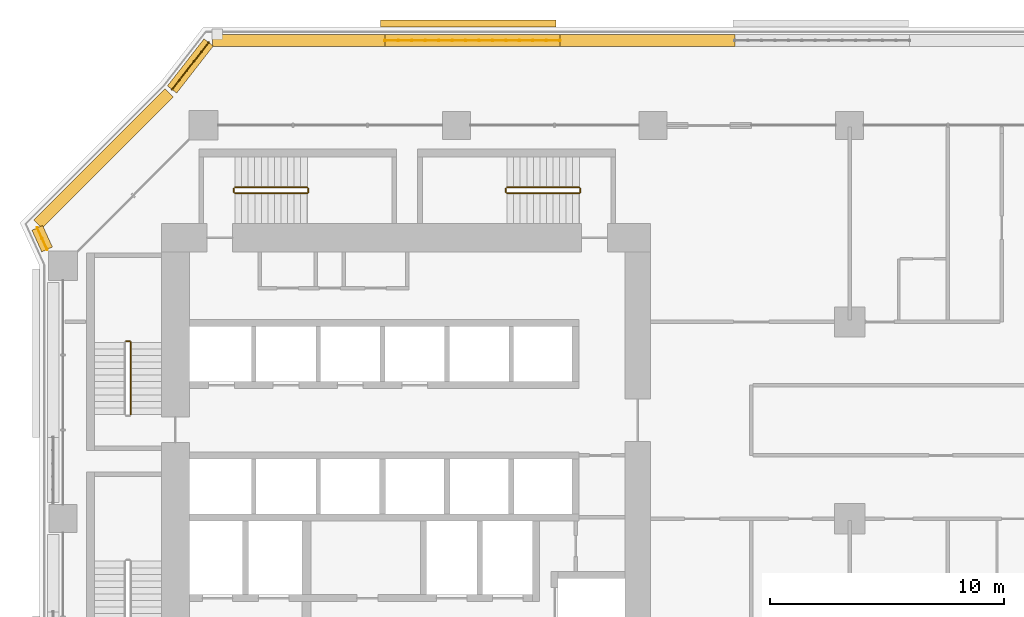
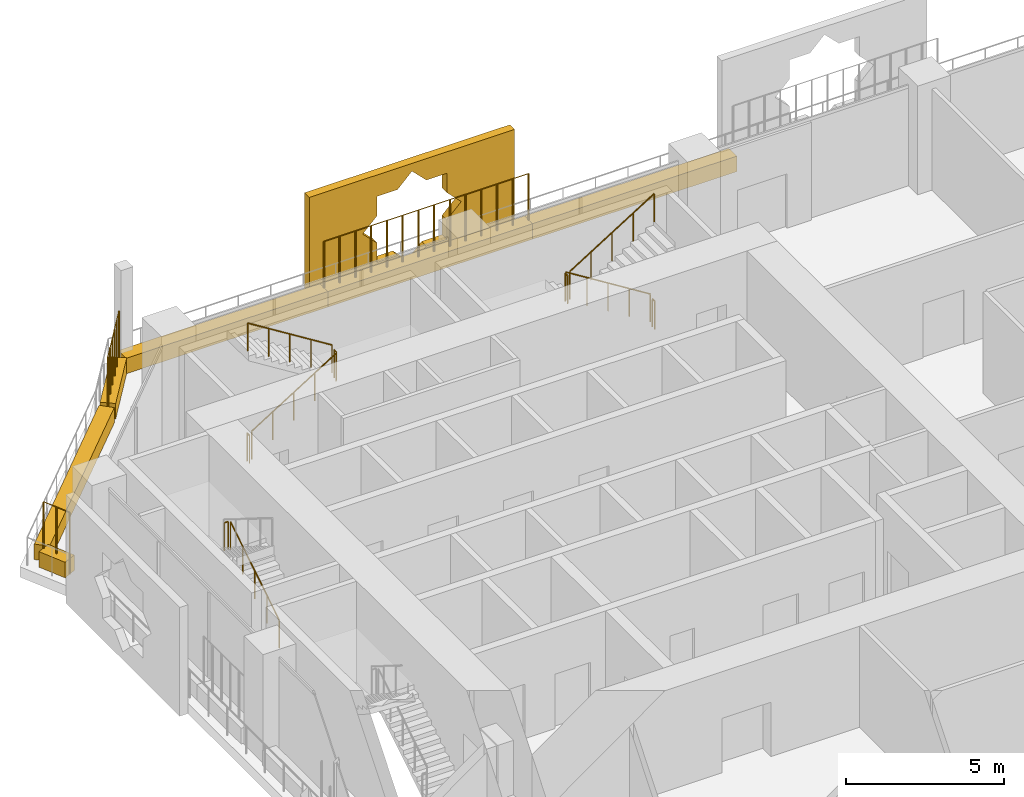
# One storey, part 26 of 28: 13 railings, 7 coverings.
"""IFC4 building model written with IfcOpenShell, lengths in metres."""

from ifc_helpers import new_model, si_unit, direction, frame, origin, origin_2d, place, context, subcontext, project, spatial, polyline, rectangle, circle, outline, extrude, material, material_profile, profile_set, type_object, element, save


model = new_model("IFC4")

# Units and contexts
model_context = context("Model", 3, precision=1e-05, world=origin(), true_north=direction((0.0, 1.0)))
body_context = subcontext(model_context, "Body", "Model", "MODEL_VIEW")
ifc_project = project(units=[si_unit("LENGTHUNIT", "METRE"), si_unit("AREAUNIT", "SQUARE_METRE"), si_unit("VOLUMEUNIT", "CUBIC_METRE"), si_unit("PLANEANGLEUNIT", "RADIAN"), si_unit("MASSUNIT", "GRAM", prefix="KILO")], contexts=[model_context])

# Site, building, storey
site_placement = place(None, origin())
site = spatial("IfcSite", under=ifc_project, at=site_placement, CompositionType="ELEMENT")
building_placement = place(site_placement, origin())
building = spatial("IfcBuilding", under=site, at=building_placement, Name="Kawkab Arch Medical Tower", CompositionType="ELEMENT")
storey_placement = place(building_placement, frame((0.0, 0.0, 77.0)))
storey = spatial("IfcBuildingStorey", under=building, at=storey_placement, Name="L17", CompositionType="ELEMENT", Elevation=77.0)

# Coverings
ifc_material_1 = material(Name="Bronze anodised aluminium mashrabiya panel, eight-point star pattern", Category="aluminium")
ifc_material_profile_1 = material_profile(ifc_material_1, outline(polyline([(-3.75, -2.10009765625), (3.75, -2.10009765625), (3.75, 2.10009765625), (-3.75, 2.10009765625), (-3.75, -2.10009765625)]), holes=[polyline([(1.800048828125, 0.0), (1.272705078125, 0.527099609375), (1.272705078125, 1.272705078125), (0.527099609375, 1.272705078125), (0.0, 1.800048828125), (-0.527099609375, 1.272705078125), (-1.272705078125, 1.272705078125), (-1.272705078125, 0.527099609375), (-1.800048828125, 0.0), (-1.272705078125, -0.527099609375), (-1.272705078125, -1.272705078125), (-0.527099609375, -1.272705078125), (0.0, -1.800048828125), (0.527099609375, -1.272705078125), (1.272705078125, -1.272705078125), (1.272705078125, -0.527099609375), (1.800048828125, 0.0)])]), Name="Mashrabiya panel 7500x4200")
ifc_profile_set_1 = profile_set([ifc_material_profile_1], Name="Bronze anodised aluminium mashrabiya panel, eight-point star pattern")
covering_type_1 = type_object("IfcCoveringType", Name="Mashrabiya panel 7500 x 4200", PredefinedType="USERDEFINED", material=ifc_profile_set_1)
covering_1_placement = place(storey_placement, frame((17.30322265625, 4.199951171875, 1.699951171875), z_axis=(0.0, 1.0, 0.0), x_axis=(-1.0, 0.0, 0.0)))
element("IfcCovering", 1, at=covering_1_placement, inside=storey, type_object=covering_type_1, Name="Mashrabiya panel L17.LOG-01-01.6", ObjectType="SCREEN", PredefinedType="USERDEFINED", context=body_context, shape_type="SweptSolid", body=[
    extrude(outline(polyline([(-3.75, -2.10009765625), (3.75, -2.10009765625), (3.75, 2.10009765625), (-3.75, 2.10009765625), (-3.75, -2.10009765625)]), holes=[polyline([(1.800048828125, 0.0), (1.272705078125, 0.527099609375), (1.272705078125, 1.272705078125), (0.527099609375, 1.272705078125), (0.0, 1.800048828125), (-0.527099609375, 1.272705078125), (-1.272705078125, 1.272705078125), (-1.272705078125, 0.527099609375), (-1.800048828125, 0.0), (-1.272705078125, -0.527099609375), (-1.272705078125, -1.272705078125), (-0.527099609375, -1.272705078125), (0.0, -1.800048828125), (0.527099609375, -1.272705078125), (1.272705078125, -1.272705078125), (1.272705078125, -0.527099609375), (1.800048828125, 0.0)])]), origin(), (0.0, 0.0, 1.0), 0.300048828125),
])
ifc_material_2 = material(Name="Planting soil in a precast trough", Category="concrete")
ifc_material_profile_2 = material_profile(ifc_material_2, rectangle(XDim=0.5, YDim=0.60009765625, at=origin_2d()), Name="Trough 500x600")
ifc_profile_set_2 = profile_set([ifc_material_profile_2], Name="Planting soil in a precast trough")
covering_type_2 = type_object("IfcCoveringType", Name="Planter trough 500 x 600", PredefinedType="USERDEFINED", material=ifc_profile_set_2)
covering_2_placement = place(storey_placement, frame((-0.680908203125, -5.302001953125, 0.300048828125), z_axis=(-0.415071571878, 0.909788761317, 0.0), x_axis=(-0.909788761317, -0.415071571878, 0.0)))
element("IfcCovering", 2, at=covering_2_placement, inside=storey, type_object=covering_type_2, Name="Planter L17.LOG-01-01.17", ObjectType="PLANTER", PredefinedType="USERDEFINED", context=body_context, shape_type="SweptSolid", body=[
    extrude(rectangle(XDim=0.5, YDim=0.60009765625, at=origin_2d()), origin(), (0.0, 0.0, 1.0), 1.0146484375),
])
covering_3_placement = place(storey_placement, frame((-1.072998046875, -4.217041015625, 0.300048828125), z_axis=(0.707106781187, 0.707106781187, 0.0), x_axis=(-0.707106781187, 0.707106781187, 0.0)))
element("IfcCovering", 3, at=covering_3_placement, inside=storey, type_object=covering_type_2, Name="Planter L17.LOG-01-01.18", ObjectType="PLANTER", PredefinedType="USERDEFINED", context=body_context, shape_type="SweptSolid", body=[
    extrude(rectangle(XDim=0.5, YDim=0.60009765625, at=origin_2d()), origin(), (0.0, 0.0, 1.0), 7.919677734375),
])
covering_4_placement = place(storey_placement, frame((4.658935546875, 1.531982421875, 0.300048828125), z_axis=(0.61404021143, 0.789274742246, 0.0), x_axis=(-0.789274742246, 0.61404021143, 0.0)))
element("IfcCovering", 4, at=covering_4_placement, inside=storey, type_object=covering_type_2, Name="Planter L17.LOG-01-01.19", ObjectType="PLANTER", PredefinedType="USERDEFINED", context=body_context, shape_type="SweptSolid", body=[
    extrude(rectangle(XDim=0.5, YDim=0.60009765625, at=origin_2d()), origin(), (0.0, 0.0, 1.0), 2.54541015625),
])
covering_5_placement = place(storey_placement, frame((6.384033203125, 3.6201171875, 0.300048828125), z_axis=(1.0, 0.0, 0.0), x_axis=(0.0, 1.0, 0.0)))
element("IfcCovering", 5, at=covering_5_placement, inside=storey, type_object=covering_type_2, Name="Planter L17.LOG-01-01.20", ObjectType="PLANTER", PredefinedType="USERDEFINED", context=body_context, shape_type="SweptSolid", body=[
    extrude(rectangle(XDim=0.5, YDim=0.60009765625, at=origin_2d()), origin(), (0.0, 0.0, 1.0), 7.369873046875),
])
covering_6_placement = place(storey_placement, frame((13.75390625, 3.6201171875, 0.300048828125), z_axis=(1.0, 0.0, 0.0), x_axis=(0.0, 1.0, 0.0)))
element("IfcCovering", 6, at=covering_6_placement, inside=storey, type_object=covering_type_2, Name="Planter L17.LOG-01-01.21", ObjectType="PLANTER", PredefinedType="USERDEFINED", context=body_context, shape_type="SweptSolid", body=[
    extrude(rectangle(XDim=0.5, YDim=0.60009765625, at=origin_2d()), origin(), (0.0, 0.0, 1.0), 7.47021484375),
])
covering_7_placement = place(storey_placement, frame((21.22412109375, 3.6201171875, 0.300048828125), z_axis=(1.0, 0.0, 0.0), x_axis=(0.0, 1.0, 0.0)))
element("IfcCovering", 7, at=covering_7_placement, inside=storey, type_object=covering_type_2, Name="Planter L17.LOG-01-01.22", ObjectType="PLANTER", PredefinedType="USERDEFINED", context=body_context, shape_type="SweptSolid", body=[
    extrude(rectangle(XDim=0.5, YDim=0.60009765625, at=origin_2d()), origin(), (0.0, 0.0, 1.0), 7.470947265625),
])

# Railings
ifc_material_3 = material(Name="Bronze anodised aluminium trellis for climbing plants", Category="aluminium")
railing_type_1 = type_object("IfcRailingType", Name="Planting trellis 2400", PredefinedType="USERDEFINED", material=ifc_material_3)
railing_1_placement = place(storey_placement, frame((-0.680908203125, -5.302001953125, 0.0)))
element("IfcRailing", 8, at=railing_1_placement, inside=storey, type_object=railing_type_1, Name="Planting trellis L17.LOG-01-01.17", ObjectType="TRELLIS", PredefinedType="USERDEFINED", context=body_context, shape_type="SweptSolid", body=[
    extrude(circle(Radius=0.01513671875, at=origin_2d()), frame((0.0, 0.0, 2.384765625), z_axis=(-0.415071571878, 0.909788761317, 0.0), x_axis=(-0.909788761317, -0.415071571878, 0.0)), (0.0, 0.0, 1.0), 1.0146484375),
    extrude(circle(Radius=0.030029296875, at=origin_2d()), origin(), (0.0, 0.0, 1.0), 2.369873046875),
    extrude(circle(Radius=0.030029296875, at=origin_2d()), frame((-0.21044921875, 0.46142578125, 0.0)), (0.0, 0.0, 1.0), 2.369873046875),
    extrude(circle(Radius=0.030029296875, at=origin_2d()), frame((-0.421142578125, 0.923095703125, 0.0)), (0.0, 0.0, 1.0), 2.369873046875),
])
railing_2_placement = place(storey_placement, frame((4.658935546875, 1.531982421875, 0.0)))
element("IfcRailing", 9, at=railing_2_placement, inside=storey, type_object=railing_type_1, Name="Planting trellis L17.LOG-01-01.19", ObjectType="TRELLIS", PredefinedType="USERDEFINED", context=body_context, shape_type="SweptSolid", body=[
    extrude(circle(Radius=0.01513671875, at=origin_2d()), frame((0.0, 0.0, 2.384765625), z_axis=(0.61404021143, 0.789274742246, 0.0), x_axis=(-0.789274742246, 0.61404021143, 0.0)), (0.0, 0.0, 1.0), 2.54541015625),
    extrude(circle(Radius=0.030029296875, at=origin_2d()), origin(), (0.0, 0.0, 1.0), 2.369873046875),
    extrude(circle(Radius=0.030029296875, at=origin_2d()), frame((0.3125, 0.40185546875, 0.0)), (0.0, 0.0, 1.0), 2.369873046875),
    extrude(circle(Radius=0.030029296875, at=origin_2d()), frame((0.625244140625, 0.8037109375, 0.0)), (0.0, 0.0, 1.0), 2.369873046875),
    extrude(circle(Radius=0.030029296875, at=origin_2d()), frame((0.937744140625, 1.205322265625, 0.0)), (0.0, 0.0, 1.0), 2.369873046875),
    extrude(circle(Radius=0.030029296875, at=origin_2d()), frame((1.25048828125, 1.607177734375, 0.0)), (0.0, 0.0, 1.0), 2.369873046875),
    extrude(circle(Radius=0.030029296875, at=origin_2d()), frame((1.56298828125, 2.009033203125, 0.0)), (0.0, 0.0, 1.0), 2.369873046875),
])
railing_3_placement = place(storey_placement, frame((13.75390625, 3.6201171875, 0.0)))
element("IfcRailing", 10, at=railing_3_placement, inside=storey, type_object=railing_type_1, Name="Planting trellis L17.LOG-01-01.21", ObjectType="TRELLIS", PredefinedType="USERDEFINED", context=body_context, shape_type="SweptSolid", body=[
    extrude(circle(Radius=0.01513671875, at=origin_2d()), frame((0.0, 0.0, 2.384765625), z_axis=(1.0, 0.0, 0.0), x_axis=(0.0, 1.0, 0.0)), (0.0, 0.0, 1.0), 7.47021484375),
    extrude(circle(Radius=0.030029296875, at=origin_2d()), origin(), (0.0, 0.0, 1.0), 2.369873046875),
    extrude(circle(Radius=0.030029296875, at=origin_2d()), frame((0.57470703125, 0.0, 0.0)), (0.0, 0.0, 1.0), 2.369873046875),
    extrude(circle(Radius=0.030029296875, at=origin_2d()), frame((1.149169921875, 0.0, 0.0)), (0.0, 0.0, 1.0), 2.369873046875),
    extrude(circle(Radius=0.030029296875, at=origin_2d()), frame((1.723876953125, 0.0, 0.0)), (0.0, 0.0, 1.0), 2.369873046875),
    extrude(circle(Radius=0.030029296875, at=origin_2d()), frame((2.298583984375, 0.0, 0.0)), (0.0, 0.0, 1.0), 2.369873046875),
    extrude(circle(Radius=0.030029296875, at=origin_2d()), frame((2.873046875, 0.0, 0.0)), (0.0, 0.0, 1.0), 2.369873046875),
    extrude(circle(Radius=0.030029296875, at=origin_2d()), frame((3.44775390625, 0.0, 0.0)), (0.0, 0.0, 1.0), 2.369873046875),
    extrude(circle(Radius=0.030029296875, at=origin_2d()), frame((4.0224609375, 0.0, 0.0)), (0.0, 0.0, 1.0), 2.369873046875),
    extrude(circle(Radius=0.030029296875, at=origin_2d()), frame((4.59716796875, 0.0, 0.0)), (0.0, 0.0, 1.0), 2.369873046875),
    extrude(circle(Radius=0.030029296875, at=origin_2d()), frame((5.171630859375, 0.0, 0.0)), (0.0, 0.0, 1.0), 2.369873046875),
    extrude(circle(Radius=0.030029296875, at=origin_2d()), frame((5.746337890625, 0.0, 0.0)), (0.0, 0.0, 1.0), 2.369873046875),
    extrude(circle(Radius=0.030029296875, at=origin_2d()), frame((6.321044921875, 0.0, 0.0)), (0.0, 0.0, 1.0), 2.369873046875),
    extrude(circle(Radius=0.030029296875, at=origin_2d()), frame((6.8955078125, 0.0, 0.0)), (0.0, 0.0, 1.0), 2.369873046875),
    extrude(circle(Radius=0.030029296875, at=origin_2d()), frame((7.47021484375, 0.0, 0.0)), (0.0, 0.0, 1.0), 2.369873046875),
])
ifc_material_4 = material(Name="Stainless steel", Category="steel")
railing_type_2 = type_object("IfcRailingType", Name="Stair guard 1100", PredefinedType="GUARDRAIL", material=ifc_material_4)
railing_4_placement = place(storey_placement, frame((2.89990234375, -12.35009765625, 0.175048828125)))
element("IfcRailing", 11, at=railing_4_placement, inside=storey, type_object=railing_type_2, Name="L17 ST1 stair guard 1", PredefinedType="GUARDRAIL", context=body_context, shape_type="SweptSolid", body=[
    extrude(circle(Radius=0.02392578125, at=origin_2d()), frame((0.0, 0.0, 1.076171875), z_axis=(0.0, 0.847998304005, 0.529998940003), x_axis=(-1.0, 0.0, 0.0)), (0.0, 0.0, 1.0), 3.632080078125),
    extrude(circle(Radius=0.02099609375, at=origin_2d()), origin(), (0.0, 0.0, 1.0), 1.052001953125),
    extrude(circle(Radius=0.02099609375, at=origin_2d()), frame((0.0, 0.77001953125, 0.481201171875)), (0.0, 0.0, 1.0), 1.052001953125),
    extrude(circle(Radius=0.02099609375, at=origin_2d()), frame((0.0, 1.5400390625, 0.96240234375)), (0.0, 0.0, 1.0), 1.052001953125),
    extrude(circle(Radius=0.02099609375, at=origin_2d()), frame((0.0, 2.31005859375, 1.44384765625)), (0.0, 0.0, 1.0), 1.052001953125),
    extrude(circle(Radius=0.02099609375, at=origin_2d()), frame((0.0, 3.080078125, 1.925048828125)), (0.0, 0.0, 1.0), 1.052001953125),
])
railing_5_placement = place(storey_placement, frame((2.85009765625, -9.219970703125, 2.10009765625)))
element("IfcRailing", 12, at=railing_5_placement, inside=storey, type_object=railing_type_2, Name="L17 ST1 stair guard 2", PredefinedType="GUARDRAIL", context=body_context, shape_type="SweptSolid", body=[
    extrude(circle(Radius=0.02392578125, at=origin_2d()), frame((0.0, 0.0, 1.076171875), z_axis=(-1.0, 0.0, 0.0), x_axis=(0.0, -1.0, 0.0)), (0.0, 0.0, 1.0), 0.150146484375),
    extrude(circle(Radius=0.02099609375, at=origin_2d()), origin(), (0.0, 0.0, 1.0), 1.052001953125),
    extrude(circle(Radius=0.02099609375, at=origin_2d()), frame((-0.150146484375, 0.0, 0.0)), (0.0, 0.0, 1.0), 1.052001953125),
])
railing_6_placement = place(storey_placement, frame((7.35009765625, -2.89990234375, 0.175048828125)))
element("IfcRailing", 13, at=railing_6_placement, inside=storey, type_object=railing_type_2, Name="L17 ST3 stair guard 1", PredefinedType="GUARDRAIL", context=body_context, shape_type="SweptSolid", body=[
    extrude(circle(Radius=0.02392578125, at=origin_2d()), frame((0.0, 0.0, 1.076171875), z_axis=(0.847979421464, 0.0, 0.530029150871), x_axis=(0.0, 1.0, 0.0)), (0.0, 0.0, 1.0), 3.632080078125),
    extrude(circle(Radius=0.02099609375, at=origin_2d()), origin(), (0.0, 0.0, 1.0), 1.052001953125),
    extrude(circle(Radius=0.02099609375, at=origin_2d()), frame((0.77001953125, 0.0, 0.481201171875)), (0.0, 0.0, 1.0), 1.052001953125),
    extrude(circle(Radius=0.02099609375, at=origin_2d()), frame((1.5400390625, 0.0, 0.96240234375)), (0.0, 0.0, 1.0), 1.052001953125),
    extrude(circle(Radius=0.02099609375, at=origin_2d()), frame((2.309814453125, 0.0, 1.44384765625)), (0.0, 0.0, 1.0), 1.052001953125),
    extrude(circle(Radius=0.02099609375, at=origin_2d()), frame((3.079833984375, 0.0, 1.925048828125)), (0.0, 0.0, 1.0), 1.052001953125),
])
railing_7_placement = place(storey_placement, frame((10.47998046875, -2.85009765625, 2.10009765625)))
element("IfcRailing", 14, at=railing_7_placement, inside=storey, type_object=railing_type_2, Name="L17 ST3 stair guard 2", PredefinedType="GUARDRAIL", context=body_context, shape_type="SweptSolid", body=[
    extrude(circle(Radius=0.02392578125, at=origin_2d()), frame((0.0, 0.0, 1.076171875), z_axis=(0.0, 1.0, 0.0), x_axis=(-1.0, 0.0, 0.0)), (0.0, 0.0, 1.0), 0.150146484375),
    extrude(circle(Radius=0.02099609375, at=origin_2d()), origin(), (0.0, 0.0, 1.0), 1.052001953125),
    extrude(circle(Radius=0.02099609375, at=origin_2d()), frame((0.0, 0.150146484375, 0.0)), (0.0, 0.0, 1.0), 1.052001953125),
])
railing_8_placement = place(storey_placement, frame((10.429931640625, -2.64990234375, 2.27490234375)))
element("IfcRailing", 15, at=railing_8_placement, inside=storey, type_object=railing_type_2, Name="L17 ST3 stair guard 3", PredefinedType="GUARDRAIL", context=body_context, shape_type="SweptSolid", body=[
    extrude(circle(Radius=0.02392578125, at=origin_2d()), frame((0.0, 0.0, 1.076171875), z_axis=(-0.847979421464, 0.0, 0.530029150871), x_axis=(0.0, -1.0, 0.0)), (0.0, 0.0, 1.0), 3.632080078125),
    extrude(circle(Radius=0.02099609375, at=origin_2d()), origin(), (0.0, 0.0, 1.0), 1.052001953125),
    extrude(circle(Radius=0.02099609375, at=origin_2d()), frame((-0.77001953125, 0.0, 0.481201171875)), (0.0, 0.0, 1.0), 1.052001953125),
    extrude(circle(Radius=0.02099609375, at=origin_2d()), frame((-1.5400390625, 0.0, 0.96240234375)), (0.0, 0.0, 1.0), 1.052001953125),
    extrude(circle(Radius=0.02099609375, at=origin_2d()), frame((-2.309814453125, 0.0, 1.44384765625)), (0.0, 0.0, 1.0), 1.052001953125),
    extrude(circle(Radius=0.02099609375, at=origin_2d()), frame((-3.079833984375, 0.0, 1.925048828125)), (0.0, 0.0, 1.0), 1.052001953125),
])
railing_9_placement = place(storey_placement, frame((7.300048828125, -2.85009765625, 0.0)))
element("IfcRailing", 16, at=railing_9_placement, inside=storey, type_object=railing_type_2, Name="L17 ST3 stair guard 4", PredefinedType="GUARDRAIL", context=body_context, shape_type="SweptSolid", body=[
    extrude(circle(Radius=0.02392578125, at=origin_2d()), frame((0.0, 0.0, 1.076171875), z_axis=(0.0, 1.0, 0.0), x_axis=(-1.0, 0.0, 0.0)), (0.0, 0.0, 1.0), 0.150146484375),
    extrude(circle(Radius=0.02099609375, at=origin_2d()), origin(), (0.0, 0.0, 1.0), 1.052001953125),
    extrude(circle(Radius=0.02099609375, at=origin_2d()), frame((0.0, 0.150146484375, 0.0)), (0.0, 0.0, 1.0), 1.052001953125),
])
railing_10_placement = place(storey_placement, frame((22.050048828125, -2.64990234375, 0.175048828125)))
element("IfcRailing", 17, at=railing_10_placement, inside=storey, type_object=railing_type_2, Name="L17 ST4 stair guard 1", PredefinedType="GUARDRAIL", context=body_context, shape_type="SweptSolid", body=[
    extrude(circle(Radius=0.02392578125, at=origin_2d()), frame((0.0, 0.0, 1.076171875), z_axis=(-0.847998304005, 0.0, 0.529998940003), x_axis=(0.0, -1.0, 0.0)), (0.0, 0.0, 1.0), 3.632080078125),
    extrude(circle(Radius=0.02099609375, at=origin_2d()), origin(), (0.0, 0.0, 1.0), 1.052001953125),
    extrude(circle(Radius=0.02099609375, at=origin_2d()), frame((-0.77001953125, 0.0, 0.481201171875)), (0.0, 0.0, 1.0), 1.052001953125),
    extrude(circle(Radius=0.02099609375, at=origin_2d()), frame((-1.5400390625, 0.0, 0.96240234375)), (0.0, 0.0, 1.0), 1.052001953125),
    extrude(circle(Radius=0.02099609375, at=origin_2d()), frame((-2.31005859375, 0.0, 1.44384765625)), (0.0, 0.0, 1.0), 1.052001953125),
    extrude(circle(Radius=0.02099609375, at=origin_2d()), frame((-3.080078125, 0.0, 1.925048828125)), (0.0, 0.0, 1.0), 1.052001953125),
])
railing_11_placement = place(storey_placement, frame((18.919921875, -2.699951171875, 2.10009765625)))
element("IfcRailing", 18, at=railing_11_placement, inside=storey, type_object=railing_type_2, Name="L17 ST4 stair guard 2", PredefinedType="GUARDRAIL", context=body_context, shape_type="SweptSolid", body=[
    extrude(circle(Radius=0.02392578125, at=origin_2d()), frame((0.0, 0.0, 1.076171875), z_axis=(0.0, -1.0, 0.0), x_axis=(1.0, 0.0, 0.0)), (0.0, 0.0, 1.0), 0.150146484375),
    extrude(circle(Radius=0.02099609375, at=origin_2d()), origin(), (0.0, 0.0, 1.0), 1.052001953125),
    extrude(circle(Radius=0.02099609375, at=origin_2d()), frame((0.0, -0.150146484375, 0.0)), (0.0, 0.0, 1.0), 1.052001953125),
])
railing_12_placement = place(storey_placement, frame((18.969970703125, -2.89990234375, 2.27490234375)))
element("IfcRailing", 19, at=railing_12_placement, inside=storey, type_object=railing_type_2, Name="L17 ST4 stair guard 3", PredefinedType="GUARDRAIL", context=body_context, shape_type="SweptSolid", body=[
    extrude(circle(Radius=0.02392578125, at=origin_2d()), frame((0.0, 0.0, 1.076171875), z_axis=(0.847998304005, 0.0, 0.529998940003), x_axis=(0.0, 1.0, 0.0)), (0.0, 0.0, 1.0), 3.632080078125),
    extrude(circle(Radius=0.02099609375, at=origin_2d()), origin(), (0.0, 0.0, 1.0), 1.052001953125),
    extrude(circle(Radius=0.02099609375, at=origin_2d()), frame((0.77001953125, 0.0, 0.481201171875)), (0.0, 0.0, 1.0), 1.052001953125),
    extrude(circle(Radius=0.02099609375, at=origin_2d()), frame((1.5400390625, 0.0, 0.96240234375)), (0.0, 0.0, 1.0), 1.052001953125),
    extrude(circle(Radius=0.02099609375, at=origin_2d()), frame((2.31005859375, 0.0, 1.44384765625)), (0.0, 0.0, 1.0), 1.052001953125),
    extrude(circle(Radius=0.02099609375, at=origin_2d()), frame((3.080078125, 0.0, 1.925048828125)), (0.0, 0.0, 1.0), 1.052001953125),
])
railing_13_placement = place(storey_placement, frame((22.10009765625, -2.699951171875, 0.0)))
element("IfcRailing", 20, at=railing_13_placement, inside=storey, type_object=railing_type_2, Name="L17 ST4 stair guard 4", PredefinedType="GUARDRAIL", context=body_context, shape_type="SweptSolid", body=[
    extrude(circle(Radius=0.02392578125, at=origin_2d()), frame((0.0, 0.0, 1.076171875), z_axis=(0.0, -1.0, 0.0), x_axis=(1.0, 0.0, 0.0)), (0.0, 0.0, 1.0), 0.150146484375),
    extrude(circle(Radius=0.02099609375, at=origin_2d()), origin(), (0.0, 0.0, 1.0), 1.052001953125),
    extrude(circle(Radius=0.02099609375, at=origin_2d()), frame((0.0, -0.150146484375, 0.0)), (0.0, 0.0, 1.0), 1.052001953125),
])

save(model, "model.ifc")
